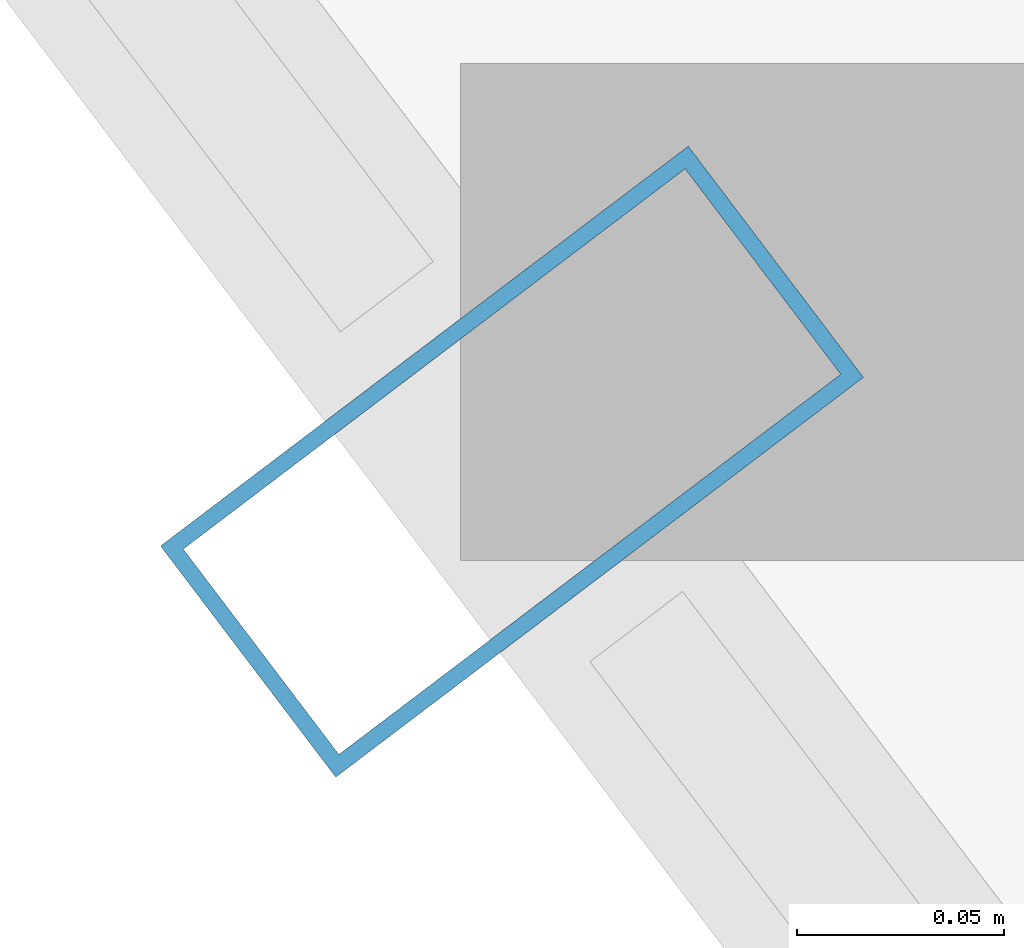
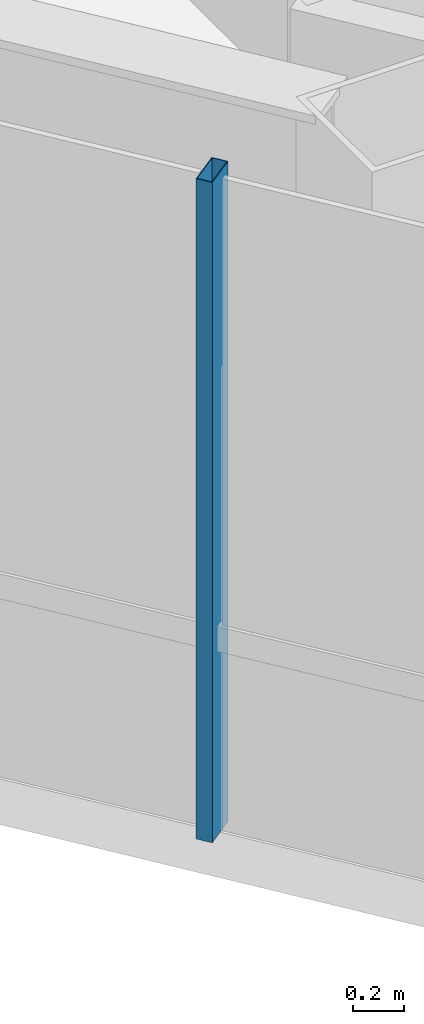
# One storey, part 5 of 27: 1 member, 1 element without a shape of its own.
"""IFC4 building model written with IfcOpenShell, lengths in metres."""

from ifc_helpers import new_model, si_unit, direction, frame, origin, origin_2d, place, context, subcontext, project, spatial, hollow_rectangle, extrude, material, layer, layer_set, material_profile, profile_set, type_object, element, aggregate, save


model = new_model("IFC4")

# Units and contexts
model_context = context("Model", 3, precision=1e-05, world=origin(), true_north=direction((0.0, 1.0)))
body_context = subcontext(model_context, "Body", "Model", "MODEL_VIEW")
ifc_project = project(units=[si_unit("LENGTHUNIT", "METRE"), si_unit("AREAUNIT", "SQUARE_METRE"), si_unit("VOLUMEUNIT", "CUBIC_METRE"), si_unit("PLANEANGLEUNIT", "RADIAN"), si_unit("MASSUNIT", "GRAM", prefix="KILO")], contexts=[model_context])

# Site, building, storey
site_placement = place(None, origin())
site = spatial("IfcSite", under=ifc_project, at=site_placement, CompositionType="ELEMENT")
building_placement = place(site_placement, origin())
building = spatial("IfcBuilding", under=site, at=building_placement, Name="Zarrinselat Tower", CompositionType="ELEMENT")
storey_placement = place(building_placement, frame((0.0, 0.0, 229.159912109375)))
storey = spatial("IfcBuildingStorey", under=building, at=storey_placement, Name="L57", CompositionType="ELEMENT", Elevation=229.159912109375)

# Curtain wall, member
ifc_material_1 = material(Name="Extruded Aluminium Alloy EN AW-6063 T6", Category="aluminium")
ifc_layer = layer(ifc_material_1, 0.169921875)
ifc_layer_set = layer_set([ifc_layer], Name="Extruded Aluminium Alloy EN AW-6063 T6")
curtain_wall_type = type_object("IfcCurtainWallType", Name="CWS-RES", PredefinedType="NOTDEFINED", material=ifc_layer_set)
curtain_wall_placement = place(storey_placement, origin())
curtain_wall = element("IfcCurtainWall", 1, at=curtain_wall_placement, inside=storey, type_object=curtain_wall_type, Name="L57 Unitised Curtain Wall CW-L57-E03", PredefinedType="NOTDEFINED")
ifc_material_2 = material(Name="Extruded Aluminium Alloy EN AW-6063 T6", Category="aluminium")
ifc_material_profile = material_profile(ifc_material_2, hollow_rectangle(XDim=0.070068359375, YDim=0.159912109375, WallThickness=0.00390625, at=origin_2d()), Name="RHS 160x70x4")
ifc_profile_set = profile_set([ifc_material_profile], Name="Extruded Aluminium Alloy EN AW-6063 T6")
member_type = type_object("IfcMemberType", Name="MEM-CW-MUL2", PredefinedType="MULLION", material=ifc_profile_set)
member_placement = place(storey_placement, frame((23.696044921875, 30.11376953125, 0.0), z_axis=(0.0, 0.0, 1.0), x_axis=(0.603857419315, -0.7970923517, 0.0)))
member = element("IfcMember", 2, at=member_placement, type_object=member_type, Name="CW-L57-E03 Mullion 4", PredefinedType="MULLION", context=body_context, shape_type="SweptSolid", body=[
    extrude(hollow_rectangle(XDim=0.070068359375, YDim=0.159912109375, WallThickness=0.00390625, at=origin_2d()), origin(), (0.0, 0.0, 1.0), 3.18017578125),
])
aggregate(curtain_wall, [member])

save(model, "model.ifc")
